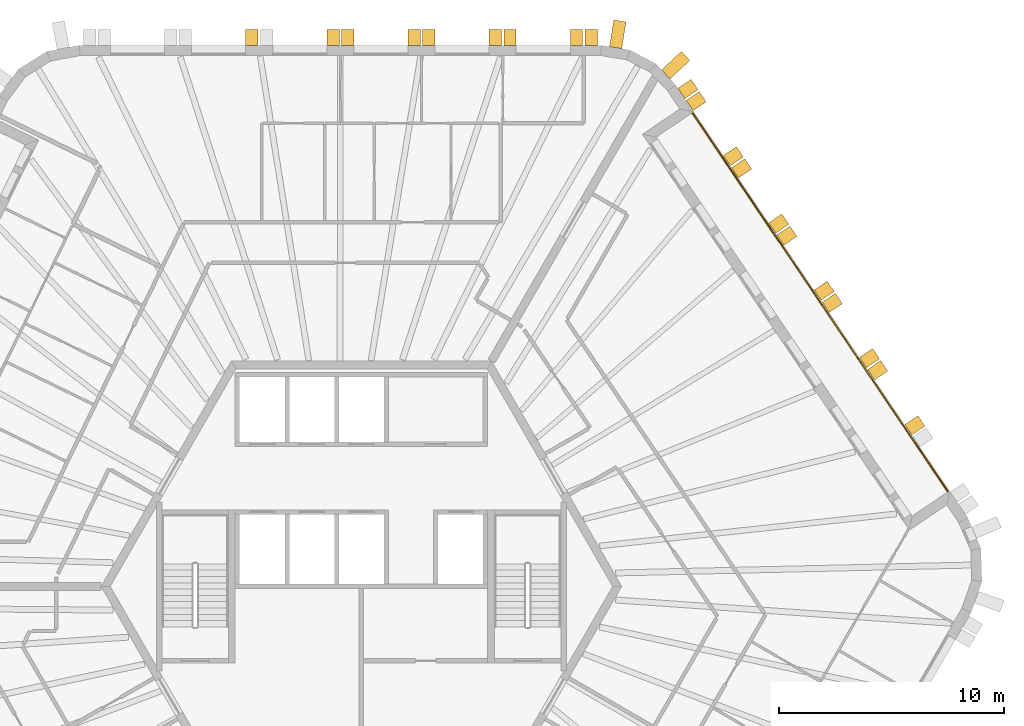
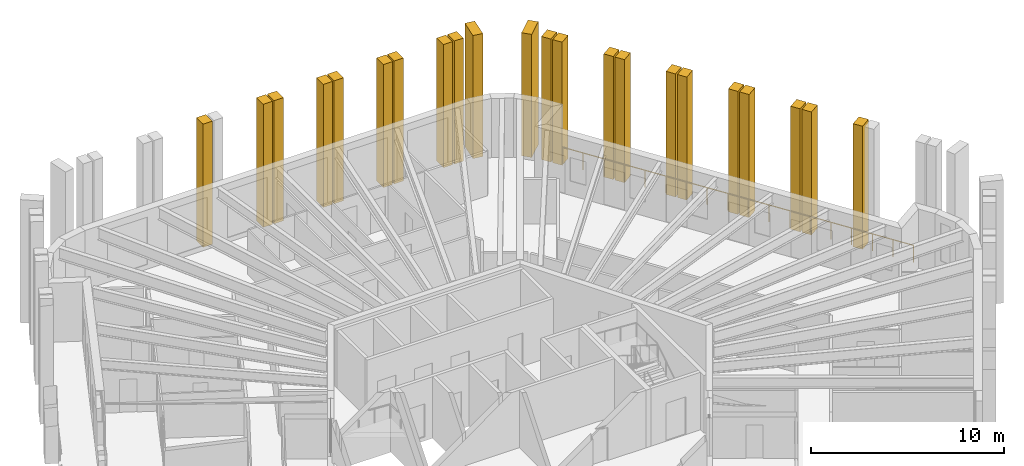
# One storey, part 12 of 12: 22 shading devices, 1 railing.
"""IFC4 building model written with IfcOpenShell, lengths in metres."""

from ifc_helpers import new_model, si_unit, direction, frame, origin, origin_2d, place, context, subcontext, project, spatial, polyline, circle, outline, extrude, material, layer, layer_set, type_object, element, save


model = new_model("IFC4")

# Units and contexts
model_context = context("Model", 3, precision=1e-05, world=origin(), true_north=direction((0.0, 1.0)))
body_context = subcontext(model_context, "Body", "Model", "MODEL_VIEW")
ifc_project = project(units=[si_unit("LENGTHUNIT", "METRE"), si_unit("AREAUNIT", "SQUARE_METRE"), si_unit("VOLUMEUNIT", "CUBIC_METRE"), si_unit("PLANEANGLEUNIT", "RADIAN"), si_unit("MASSUNIT", "GRAM", prefix="KILO")], contexts=[model_context])

# Site, building, storey
site_placement = place(None, origin())
site = spatial("IfcSite", under=ifc_project, at=site_placement, CompositionType="ELEMENT")
building_placement = place(site_placement, origin())
building = spatial("IfcBuilding", under=site, at=building_placement, Name="Tarnside Tower", CompositionType="ELEMENT")
storey_placement = place(building_placement, frame((0.0, 0.0, 361.199951171875)))
storey = spatial("IfcBuildingStorey", under=building, at=storey_placement, Name="L87", CompositionType="ELEMENT", Elevation=361.199951171875)

# Railing
ifc_material_1 = material(Name="Toughened glass", Category="glass")
railing_type = type_object("IfcRailingType", Name="Glass guard 1100", PredefinedType="GUARDRAIL", material=ifc_material_1)
railing_placement = place(storey_placement, frame((26.022216796875, 4.196533203125, 0.0)))
element("IfcRailing", 1, at=railing_placement, inside=storey, type_object=railing_type, Name="Loggia guard L87 F6", PredefinedType="GUARDRAIL", context=body_context, shape_type="SweptSolid", body=[
    extrude(circle(Radius=0.030029296875, at=origin_2d()), frame((0.0, 0.0, 1.070068359375), z_axis=(-0.559192274164, 0.829037997028, 0.0), x_axis=(-0.829037997028, -0.559192274164, 0.0)), (0.0, 0.0, 1.0), 20.281494140625),
    extrude(circle(Radius=0.02490234375, at=origin_2d()), origin(), (0.0, 0.0, 1.0), 1.0400390625),
    extrude(circle(Radius=0.02490234375, at=origin_2d()), frame((-0.667236328125, 0.989013671875, 0.0)), (0.0, 0.0, 1.0), 1.0400390625),
    extrude(circle(Radius=0.02490234375, at=origin_2d()), frame((-1.334228515625, 1.97802734375, 0.0)), (0.0, 0.0, 1.0), 1.0400390625),
    extrude(circle(Radius=0.02490234375, at=origin_2d()), frame((-2.00146484375, 2.96728515625, 0.0)), (0.0, 0.0, 1.0), 1.0400390625),
    extrude(circle(Radius=0.02490234375, at=origin_2d()), frame((-2.66845703125, 3.956298828125, 0.0)), (0.0, 0.0, 1.0), 1.0400390625),
    extrude(circle(Radius=0.02490234375, at=origin_2d()), frame((-3.335693359375, 4.9453125, 0.0)), (0.0, 0.0, 1.0), 1.0400390625),
    extrude(circle(Radius=0.02490234375, at=origin_2d()), frame((-4.0029296875, 5.934326171875, 0.0)), (0.0, 0.0, 1.0), 1.0400390625),
    extrude(circle(Radius=0.02490234375, at=origin_2d()), frame((-4.669921875, 6.923583984375, 0.0)), (0.0, 0.0, 1.0), 1.0400390625),
    extrude(circle(Radius=0.02490234375, at=origin_2d()), frame((-5.337158203125, 7.91259765625, 0.0)), (0.0, 0.0, 1.0), 1.0400390625),
    extrude(circle(Radius=0.02490234375, at=origin_2d()), frame((-6.004150390625, 8.901611328125, 0.0)), (0.0, 0.0, 1.0), 1.0400390625),
    extrude(circle(Radius=0.02490234375, at=origin_2d()), frame((-6.67138671875, 9.890625, 0.0)), (0.0, 0.0, 1.0), 1.0400390625),
    extrude(circle(Radius=0.02490234375, at=origin_2d()), frame((-7.33837890625, 10.8798828125, 0.0)), (0.0, 0.0, 1.0), 1.0400390625),
    extrude(circle(Radius=0.02490234375, at=origin_2d()), frame((-8.005615234375, 11.868896484375, 0.0)), (0.0, 0.0, 1.0), 1.0400390625),
    extrude(circle(Radius=0.02490234375, at=origin_2d()), frame((-8.6728515625, 12.85791015625, 0.0)), (0.0, 0.0, 1.0), 1.0400390625),
    extrude(circle(Radius=0.02490234375, at=origin_2d()), frame((-9.33984375, 13.846923828125, 0.0)), (0.0, 0.0, 1.0), 1.0400390625),
    extrude(circle(Radius=0.02490234375, at=origin_2d()), frame((-10.007080078125, 14.836181640625, 0.0)), (0.0, 0.0, 1.0), 1.0400390625),
    extrude(circle(Radius=0.02490234375, at=origin_2d()), frame((-10.674072265625, 15.8251953125, 0.0)), (0.0, 0.0, 1.0), 1.0400390625),
    extrude(circle(Radius=0.02490234375, at=origin_2d()), frame((-11.34130859375, 16.814208984375, 0.0)), (0.0, 0.0, 1.0), 1.0400390625),
])

# Shading devices
ifc_material_2 = material(Name="Concrete C50/60 white precast", Category="concrete")
ifc_layer_1 = layer(ifc_material_2, 0.550048828125)
ifc_layer_set_1 = layer_set([ifc_layer_1], Name="Precast fin 550 x 1200")
shading_device_type_1 = type_object("IfcShadingDeviceType", Name="Precast fin 550 x 1200", PredefinedType="USERDEFINED", material=ifc_layer_set_1)
for number, where, z_axis, x_axis, name in (
    (2, (13.50732421875, 22.710693359375, -0.14990234375), (0.686241637865, -0.727373641577, 0.0), (0.727373641577, 0.686241637865, 0.0), "Precast fin"),
    (3, (11.27490234375, 23.897705078125, -0.14990234375), (0.986761532114, -0.1621779231, 0.0), (0.1621779231, 0.986761532114, 0.0), "Precast fin"),
):
    element("IfcShadingDevice", number, at=place(storey_placement, frame(where, z_axis=z_axis, x_axis=x_axis)), inside=storey, type_object=shading_device_type_1, Name=name, ObjectType="FIN", PredefinedType="USERDEFINED", context=body_context, shape_type="SweptSolid", body=[
        extrude(outline(polyline([(0.0, 0.0), (1.199951171875, 0.0), (1.199951171875, 7.800048828125), (0.0, 7.800048828125), (0.0, 0.0)])), frame((0.0, 0.0, -0.27490234375)), (0.0, 0.0, 1.0), 0.550048828125),
    ])
ifc_layer_2 = layer(ifc_material_2, 0.550048828125)
ifc_layer_set_2 = layer_set([ifc_layer_2], Name="Precast fin 550 x 700")
shading_device_type_2 = type_object("IfcShadingDeviceType", Name="Precast fin 550 x 700", PredefinedType="USERDEFINED", material=ifc_layer_set_2)
for number, where, z_axis, x_axis, name in (
    (4, (10.193359375, 24.0, -0.14990234375), (1.0, 0.0, 0.0), (0.0, 1.0, 0.0), "Precast fin"),
    (5, (9.54345703125, 24.0, -0.14990234375), (1.0, 0.0, 0.0), (0.0, 1.0, 0.0), "Precast fin"),
    (6, (6.593505859375, 24.0, -0.14990234375), (1.0, 0.0, 0.0), (0.0, 1.0, 0.0), "Precast fin"),
    (7, (5.943359375, 24.0, -0.14990234375), (1.0, 0.0, 0.0), (0.0, 1.0, 0.0), "Precast fin"),
    (8, (2.993408203125, 24.0, -0.14990234375), (1.0, 0.0, 0.0), (0.0, 1.0, 0.0), "Precast fin"),
    (9, (2.343505859375, 24.0, -0.14990234375), (1.0, 0.0, 0.0), (0.0, 1.0, 0.0), "Precast fin"),
    (10, (-0.606689453125, 24.0, -0.14990234375), (1.0, 0.0, 0.0), (0.0, 1.0, 0.0), "Precast fin"),
    (11, (-1.256591796875, 24.0, -0.14990234375), (1.0, 0.0, 0.0), (0.0, 1.0, 0.0), "Precast fin"),
    (12, (-4.856689453125, 24.0, -0.14990234375), (1.0, 0.0, 0.0), (0.0, 1.0, 0.0), "Precast fin"),
    (13, (24.26220703125, 6.94873046875, -0.14990234375), (0.559192903471, -0.829037572555, 0.0), (0.829037572555, 0.559192903471, 0.0), "Precast fin"),
    (14, (22.612548828125, 9.394287109375, -0.14990234375), (0.559192903471, -0.829037572555, 0.0), (0.829037572555, 0.559192903471, 0.0), "Precast fin"),
    (15, (22.249267578125, 9.93310546875, -0.14990234375), (0.559192903471, -0.829037572555, 0.0), (0.829037572555, 0.559192903471, 0.0), "Precast fin"),
    (16, (20.599609375, 12.37890625, -0.14990234375), (0.559192903471, -0.829037572555, 0.0), (0.829037572555, 0.559192903471, 0.0), "Precast fin"),
    (17, (20.236083984375, 12.917724609375, -0.14990234375), (0.559192903471, -0.829037572555, 0.0), (0.829037572555, 0.559192903471, 0.0), "Precast fin"),
    (18, (18.58642578125, 15.363525390625, -0.14990234375), (0.559192903471, -0.829037572555, 0.0), (0.829037572555, 0.559192903471, 0.0), "Precast fin"),
    (19, (18.222900390625, 15.90234375, -0.14990234375), (0.559192903471, -0.829037572555, 0.0), (0.829037572555, 0.559192903471, 0.0), "Precast fin"),
    (20, (16.573486328125, 18.347900390625, -0.14990234375), (0.559192903471, -0.829037572555, 0.0), (0.829037572555, 0.559192903471, 0.0), "Precast fin"),
    (21, (16.2099609375, 18.88671875, -0.14990234375), (0.559192903471, -0.829037572555, 0.0), (0.829037572555, 0.559192903471, 0.0), "Precast fin"),
    (22, (14.560302734375, 21.33251953125, -0.14990234375), (0.559192903471, -0.829037572555, 0.0), (0.829037572555, 0.559192903471, 0.0), "Precast fin"),
    (23, (14.19677734375, 21.871337890625, -0.14990234375), (0.559192903471, -0.829037572555, 0.0), (0.829037572555, 0.559192903471, 0.0), "Precast fin"),
):
    element("IfcShadingDevice", number, at=place(storey_placement, frame(where, z_axis=z_axis, x_axis=x_axis)), inside=storey, type_object=shading_device_type_2, Name=name, ObjectType="FIN", PredefinedType="USERDEFINED", context=body_context, shape_type="SweptSolid", body=[
        extrude(outline(polyline([(0.0, 0.0), (0.699951171875, 0.0), (0.699951171875, 7.800048828125), (0.0, 7.800048828125), (0.0, 0.0)])), frame((0.0, 0.0, -0.27490234375)), (0.0, 0.0, 1.0), 0.550048828125),
    ])

save(model, "model.ifc")
